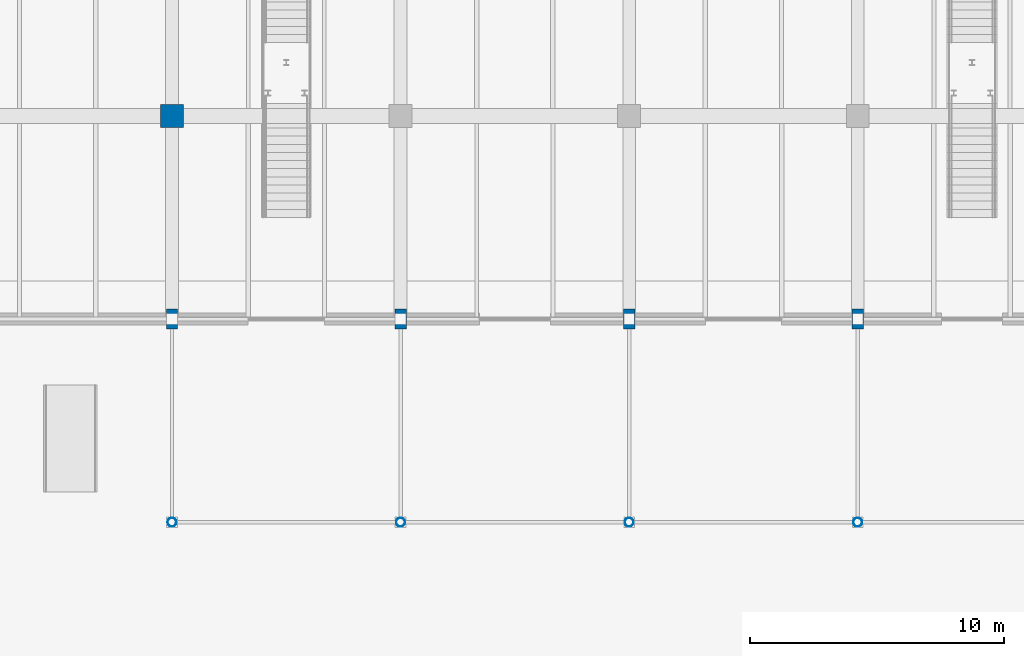
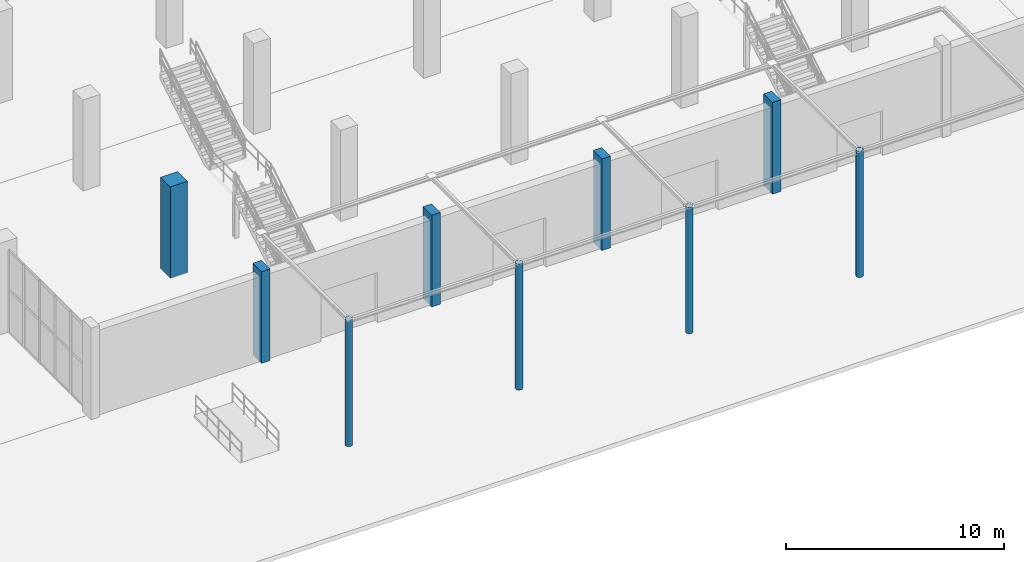
# One storey, part 8 of 103: 9 columns.
"""IFC4 building model written with IfcOpenShell, lengths in metres."""

from ifc_helpers import new_model, si_unit, direction, frame, origin, origin_2d, place, context, subcontext, project, spatial, rectangle, hollow_circle, extrude, material, material_profile, profile_set, type_object, element, save


model = new_model("IFC4")

# Units and contexts
model_context = context("Model", 3, precision=1e-05, world=origin(), true_north=direction((0.0, 1.0)))
body_context = subcontext(model_context, "Body", "Model", "MODEL_VIEW")
ifc_project = project(units=[si_unit("LENGTHUNIT", "METRE"), si_unit("AREAUNIT", "SQUARE_METRE"), si_unit("VOLUMEUNIT", "CUBIC_METRE"), si_unit("PLANEANGLEUNIT", "RADIAN"), si_unit("MASSUNIT", "GRAM", prefix="KILO")], contexts=[model_context])

# Site, building, storey
site_placement = place(None, origin())
site = spatial("IfcSite", under=ifc_project, at=site_placement, CompositionType="ELEMENT")
building_placement = place(site_placement, origin())
building = spatial("IfcBuilding", under=site, at=building_placement, Name="Marnock Terrace Opera House", CompositionType="ELEMENT")
storey_placement = place(building_placement, origin())
storey = spatial("IfcBuildingStorey", under=building, at=storey_placement, Name="L00", CompositionType="ELEMENT", Elevation=0.0)

# Columns
ifc_material_1 = material(Name="Cold-formed Steel Grade C350L0 (AS/NZS 1163)", Category="steel")
ifc_material_profile_1 = material_profile(ifc_material_1, hollow_circle(Radius=0.177734375, WallThickness=0.0126953125, at=origin_2d()))
ifc_profile_set_1 = profile_set([ifc_material_profile_1], Name="Cold-formed Steel Grade C350L0 (AS/NZS 1163)")
column_type_1 = type_object("IfcColumnType", Name="COL-CANOPY-CHS", PredefinedType="COLUMN", material=ifc_profile_set_1)
for number, where, z_axis, x_axis, name in (
    (1, (64.0, 0.0, 0.0), (0.0, 0.0, 1.0), (1.0, 0.0, 0.0), "L00 column at (64.0, 0.0)"),
    (2, (73.0, 0.0, 0.0), (0.0, 0.0, 1.0), (1.0, 0.0, 0.0), "L00 column at (73.0, 0.0)"),
    (3, (82.0, 0.0, 0.0), (0.0, 0.0, 1.0), (1.0, 0.0, 0.0), "L00 column at (82.0, 0.0)"),
    (4, (91.0, 0.0, 0.0), (0.0, 0.0, 1.0), (1.0, 0.0, 0.0), "L00 column at (91.0, 0.0)"),
):
    element("IfcColumn", number, at=place(storey_placement, frame(where, z_axis=z_axis, x_axis=x_axis)), inside=storey, type_object=column_type_1, Name=name, PredefinedType="COLUMN", context=body_context, shape_type="SweptSolid", body=[
        extrude(hollow_circle(Radius=0.177734375, WallThickness=0.0126953125, at=origin_2d()), origin(), (0.0, 0.0, 1.0), 7.0400390625),
    ])
ifc_material_2 = material(Name="Concrete N40 (f'c = 40 MPa)", Category="concrete")
ifc_material_profile_2 = material_profile(ifc_material_2, rectangle(XDim=0.449951171875, YDim=0.800048828125, at=origin_2d()))
ifc_profile_set_2 = profile_set([ifc_material_profile_2], Name="Concrete N40 (f'c = 40 MPa)")
column_type_2 = type_object("IfcColumnType", Name="COL-PIL-800", PredefinedType="PILASTER", material=ifc_profile_set_2)
for number, where, z_axis, x_axis, name in (
    (5, (64.0, 8.0, 0.0), (0.0, 0.0, 1.0), (1.0, 0.0, 0.0), "L00 column at (64.0, 8.0)"),
    (6, (73.0, 8.0, 0.0), (0.0, 0.0, 1.0), (1.0, 0.0, 0.0), "L00 column at (73.0, 8.0)"),
    (7, (82.0, 8.0, 0.0), (0.0, 0.0, 1.0), (1.0, 0.0, 0.0), "L00 column at (82.0, 8.0)"),
    (8, (91.0, 8.0, 0.0), (0.0, 0.0, 1.0), (1.0, 0.0, 0.0), "L00 column at (91.0, 8.0)"),
):
    element("IfcColumn", number, at=place(storey_placement, frame(where, z_axis=z_axis, x_axis=x_axis)), inside=storey, type_object=column_type_2, Name=name, PredefinedType="PILASTER", context=body_context, shape_type="SweptSolid", body=[
        extrude(rectangle(XDim=0.449951171875, YDim=0.800048828125, at=origin_2d()), origin(), (0.0, 0.0, 1.0), 5.1201171875),
    ])
ifc_material_3 = material(Name="Concrete N50 (f'c = 50 MPa)", Category="concrete")
ifc_material_profile_3 = material_profile(ifc_material_3, rectangle(XDim=0.89990234375, YDim=0.89990234375, at=origin_2d()))
ifc_profile_set_3 = profile_set([ifc_material_profile_3], Name="Concrete N50 (f'c = 50 MPa)")
column_type_3 = type_object("IfcColumnType", Name="COL-RC900", PredefinedType="COLUMN", material=ifc_profile_set_3)
column_placement = place(storey_placement, frame((64.0, 16.0, 0.0), z_axis=(0.0, 0.0, 1.0), x_axis=(1.0, 0.0, 0.0)))
element("IfcColumn", 9, at=column_placement, inside=storey, type_object=column_type_3, Name="L00 column at (64.0, 16.0)", PredefinedType="COLUMN", context=body_context, shape_type="SweptSolid", body=[
    extrude(rectangle(XDim=0.89990234375, YDim=0.89990234375, at=origin_2d()), origin(), (0.0, 0.0, 1.0), 5.1201171875),
])

save(model, "model.ifc")
